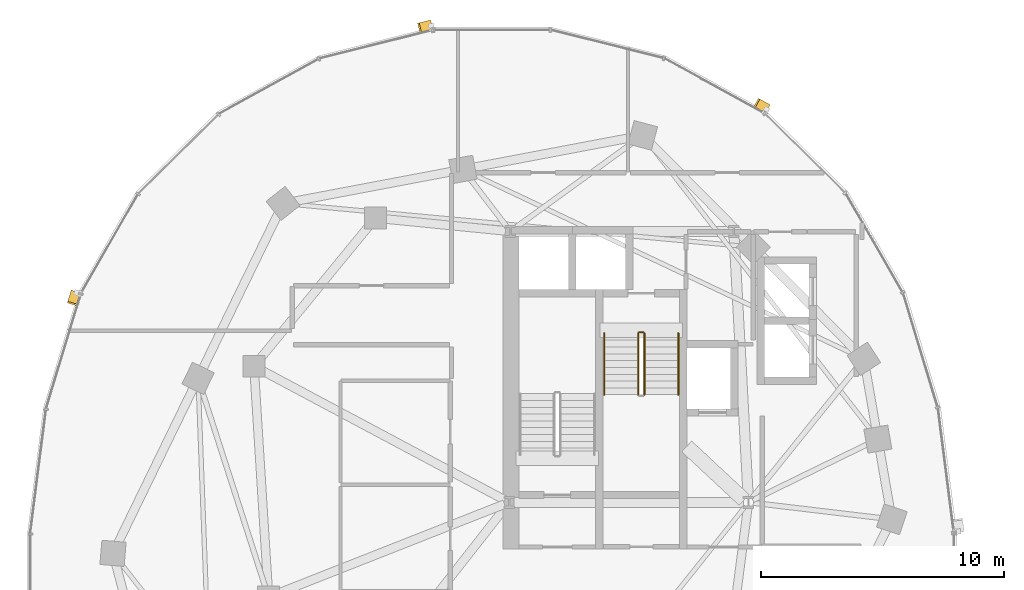
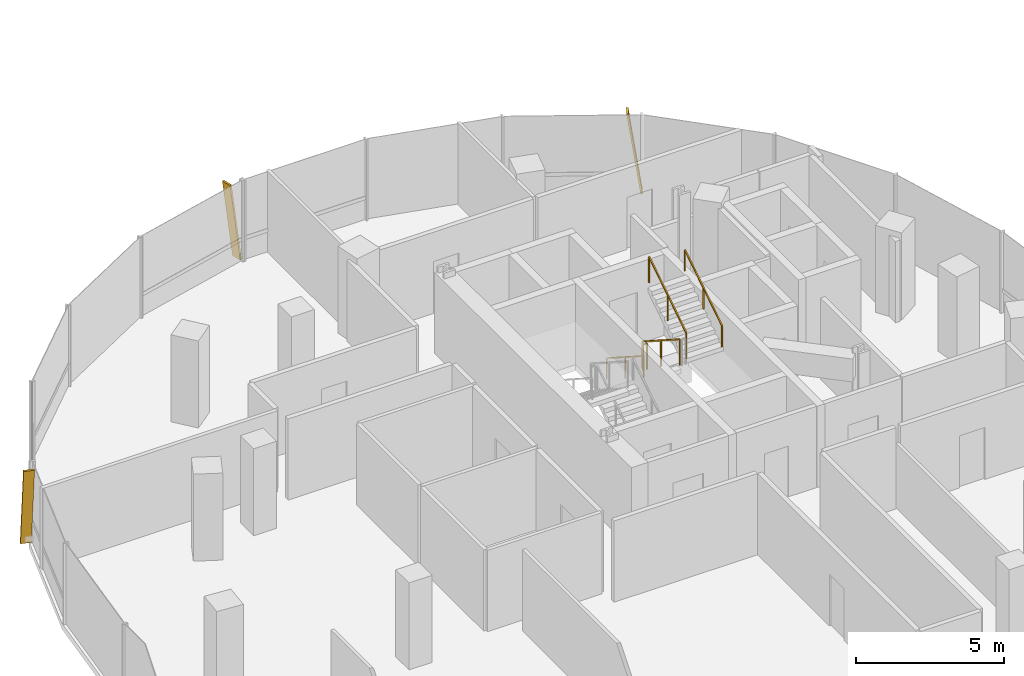
# One storey, part 20 of 22: 5 railings, 3 shading devices.
"""IFC4 building model written with IfcOpenShell, lengths in metres."""

from ifc_helpers import new_model, si_unit, direction, frame, origin, origin_2d, place, context, subcontext, project, spatial, rectangle, extrude, material, material_profile, profile_set, type_object, element, save


model = new_model("IFC4")

# Units and contexts
model_context = context("Model", 3, precision=1e-05, world=origin(), true_north=direction((0.0, 1.0)))
body_context = subcontext(model_context, "Body", "Model", "MODEL_VIEW")
ifc_project = project(units=[si_unit("LENGTHUNIT", "METRE"), si_unit("AREAUNIT", "SQUARE_METRE"), si_unit("VOLUMEUNIT", "CUBIC_METRE"), si_unit("PLANEANGLEUNIT", "RADIAN"), si_unit("MASSUNIT", "GRAM", prefix="KILO"), si_unit("THERMODYNAMICTEMPERATUREUNIT", "KELVIN"), si_unit("POWERUNIT", "WATT")], contexts=[model_context])

# Site, building, storey
site_placement = place(None, origin())
site = spatial("IfcSite", under=ifc_project, at=site_placement, CompositionType="ELEMENT")
building_placement = place(site_placement, origin())
building = spatial("IfcBuilding", under=site, at=building_placement, Name="Cundina Bronze Exchange", CompositionType="ELEMENT")
storey_placement = place(building_placement, frame((0.0, 0.0, 140.39990234375)))
storey = spatial("IfcBuildingStorey", under=building, at=storey_placement, Name="L36", CompositionType="ELEMENT", Elevation=140.39990234375)

# Railings
ifc_material_1 = material(Name="Steel ASTM A36 Painted", Category="steel")
railing_type_1 = type_object("IfcRailingType", Name="RLG-HND-900", PredefinedType="HANDRAIL", material=ifc_material_1)
railing_1_placement = place(storey_placement, frame((-27.389892578125, 10.85009765625, 0.18017578125)))
element("IfcRailing", 1, at=railing_1_placement, inside=storey, type_object=railing_type_1, Name="L36 ST-W2 stair handrail 1", PredefinedType="HANDRAIL", context=body_context, shape_type="SweptSolid", body=[
    extrude(rectangle(XDim=0.048095703125, YDim=0.048095703125, at=origin_2d()), frame((0.0, 0.0, 0.8759765625), z_axis=(0.0, -0.841199657755, 0.540724639528), x_axis=(1.0, 0.0, 0.0)), (0.0, 0.0, 1.0), 2.995849609375),
    extrude(rectangle(XDim=0.0419921875, YDim=0.0419921875, at=origin_2d()), origin(), (0.0, 0.0, 1.0), 0.851806640625),
    extrude(rectangle(XDim=0.0419921875, YDim=0.0419921875, at=origin_2d()), frame((0.0, -1.260009765625, 0.81005859375)), (0.0, 0.0, 1.0), 0.851806640625),
    extrude(rectangle(XDim=0.0419921875, YDim=0.0419921875, at=origin_2d()), frame((0.0, -2.52001953125, 1.619873046875)), (0.0, 0.0, 1.0), 0.851806640625),
])
railing_2_placement = place(storey_placement, frame((-24.330078125, 8.330078125, 1.97998046875)))
element("IfcRailing", 2, at=railing_2_placement, inside=storey, type_object=railing_type_1, Name="L36 ST-W2 stair handrail 2", PredefinedType="HANDRAIL", context=body_context, shape_type="SweptSolid", body=[
    extrude(rectangle(XDim=0.048095703125, YDim=0.048095703125, at=origin_2d()), frame((0.0, 0.0, 0.8759765625), z_axis=(0.0, 0.841162588446, 0.540782303519), x_axis=(-1.0, 0.0, 0.0)), (0.0, 0.0, 1.0), 2.995849609375),
    extrude(rectangle(XDim=0.0419921875, YDim=0.0419921875, at=origin_2d()), origin(), (0.0, 0.0, 1.0), 0.851806640625),
    extrude(rectangle(XDim=0.0419921875, YDim=0.0419921875, at=origin_2d()), frame((0.0, 1.260009765625, 0.81005859375)), (0.0, 0.0, 1.0), 0.851806640625),
    extrude(rectangle(XDim=0.0419921875, YDim=0.0419921875, at=origin_2d()), frame((0.0, 2.52001953125, 1.6201171875)), (0.0, 0.0, 1.0), 0.851806640625),
])
railing_type_2 = type_object("IfcRailingType", Name="RLG-STG-1100", PredefinedType="GUARDRAIL", material=ifc_material_1)
railing_3_placement = place(storey_placement, frame((-25.989990234375, 10.85009765625, 0.18017578125)))
element("IfcRailing", 3, at=railing_3_placement, inside=storey, type_object=railing_type_2, Name="L36 ST-W2 stair guard 1", PredefinedType="GUARDRAIL", context=body_context, shape_type="SweptSolid", body=[
    extrude(rectangle(XDim=0.048095703125, YDim=0.048095703125, at=origin_2d()), frame((0.0, 0.0, 1.076171875), z_axis=(0.0, -0.841199657755, 0.540724639528), x_axis=(1.0, 0.0, 0.0)), (0.0, 0.0, 1.0), 2.995849609375),
    extrude(rectangle(XDim=0.0419921875, YDim=0.0419921875, at=origin_2d()), origin(), (0.0, 0.0, 1.0), 1.052001953125),
    extrude(rectangle(XDim=0.0419921875, YDim=0.0419921875, at=origin_2d()), frame((0.0, -1.260009765625, 0.81005859375)), (0.0, 0.0, 1.0), 1.052001953125),
    extrude(rectangle(XDim=0.0419921875, YDim=0.0419921875, at=origin_2d()), frame((0.0, -2.52001953125, 1.619873046875)), (0.0, 0.0, 1.0), 1.052001953125),
])
railing_4_placement = place(storey_placement, frame((-25.72998046875, 8.330078125, 1.97998046875)))
element("IfcRailing", 4, at=railing_4_placement, inside=storey, type_object=railing_type_2, Name="L36 ST-W2 stair guard 3", PredefinedType="GUARDRAIL", context=body_context, shape_type="SweptSolid", body=[
    extrude(rectangle(XDim=0.048095703125, YDim=0.048095703125, at=origin_2d()), frame((0.0, 0.0, 1.076171875), z_axis=(0.0, 0.841162588446, 0.540782303519), x_axis=(-1.0, 0.0, 0.0)), (0.0, 0.0, 1.0), 2.995849609375),
    extrude(rectangle(XDim=0.0419921875, YDim=0.0419921875, at=origin_2d()), origin(), (0.0, 0.0, 1.0), 1.052001953125),
    extrude(rectangle(XDim=0.0419921875, YDim=0.0419921875, at=origin_2d()), frame((0.0, 1.260009765625, 0.81005859375)), (0.0, 0.0, 1.0), 1.052001953125),
    extrude(rectangle(XDim=0.0419921875, YDim=0.0419921875, at=origin_2d()), frame((0.0, 2.52001953125, 1.6201171875)), (0.0, 0.0, 1.0), 1.052001953125),
])
railing_5_placement = place(storey_placement, frame((-25.93994140625, 10.89990234375, 0.0)))
element("IfcRailing", 5, at=railing_5_placement, inside=storey, type_object=railing_type_2, Name="L36 ST-W2 stair guard 4", PredefinedType="GUARDRAIL", context=body_context, shape_type="SweptSolid", body=[
    extrude(rectangle(XDim=0.048095703125, YDim=0.048095703125, at=origin_2d()), frame((0.0, 0.0, 1.076171875), z_axis=(1.0, 0.0, 0.0), x_axis=(0.0, 1.0, 0.0)), (0.0, 0.0, 1.0), 0.159912109375),
    extrude(rectangle(XDim=0.0419921875, YDim=0.0419921875, at=origin_2d()), origin(), (0.0, 0.0, 1.0), 1.052001953125),
    extrude(rectangle(XDim=0.0419921875, YDim=0.0419921875, at=origin_2d()), frame((0.159912109375, 0.0, 0.0)), (0.0, 0.0, 1.0), 1.052001953125),
])

# Shading devices
ifc_material_2 = material(Name="Anodised Bronze Aluminium 6063-T6", Category="aluminium")
ifc_material_profile = material_profile(ifc_material_2, rectangle(XDim=0.070068359375, YDim=0.3798828125, at=origin_2d()), Name="FIN70X380", Category="aluminium")
ifc_profile_set = profile_set([ifc_material_profile], Name="Anodised Bronze Aluminium 6063-T6")
shading_device_type = type_object("IfcShadingDeviceType", Name="SHD-FIN-BRZ380", PredefinedType="USERDEFINED", material=ifc_profile_set)
for number, where, z_axis, x_axis, name in (
    (6, (-20.679931640625, 20.11181640625, 0.02001953125), (-0.125324460949, 0.068993954111, 0.989713905017), (0.867011652888, -0.477309551067, 0.143060778049), "L36 Diagonal Bronze Solar Fin 5"),
    (7, (-34.51953125, 23.556396484375, 0.02001953125), (-0.138788401144, -0.034715294885, 0.989713407007), (0.960133415413, 0.240159223467, 0.14306422331), "L36 Diagonal Bronze Solar Fin 1"),
    (8, (-49.151123046875, 12.5439453125, 0.02001953125), (-0.041483395017, -0.136967981441, 0.989706471636), (0.286882504107, 0.947215566191, 0.143112193758), "L36 Diagonal Bronze Solar Fin 5"),
):
    element("IfcShadingDevice", number, at=place(storey_placement, frame(where, z_axis=z_axis, x_axis=x_axis)), inside=storey, type_object=shading_device_type, Name=name, ObjectType="FIN", PredefinedType="USERDEFINED", context=body_context, shape_type="SweptSolid", body=[
        extrude(rectangle(XDim=0.070068359375, YDim=0.3798828125, at=origin_2d()), origin(), (0.0, 0.0, 1.0), 3.3544921875),
    ])

save(model, "model.ifc")
